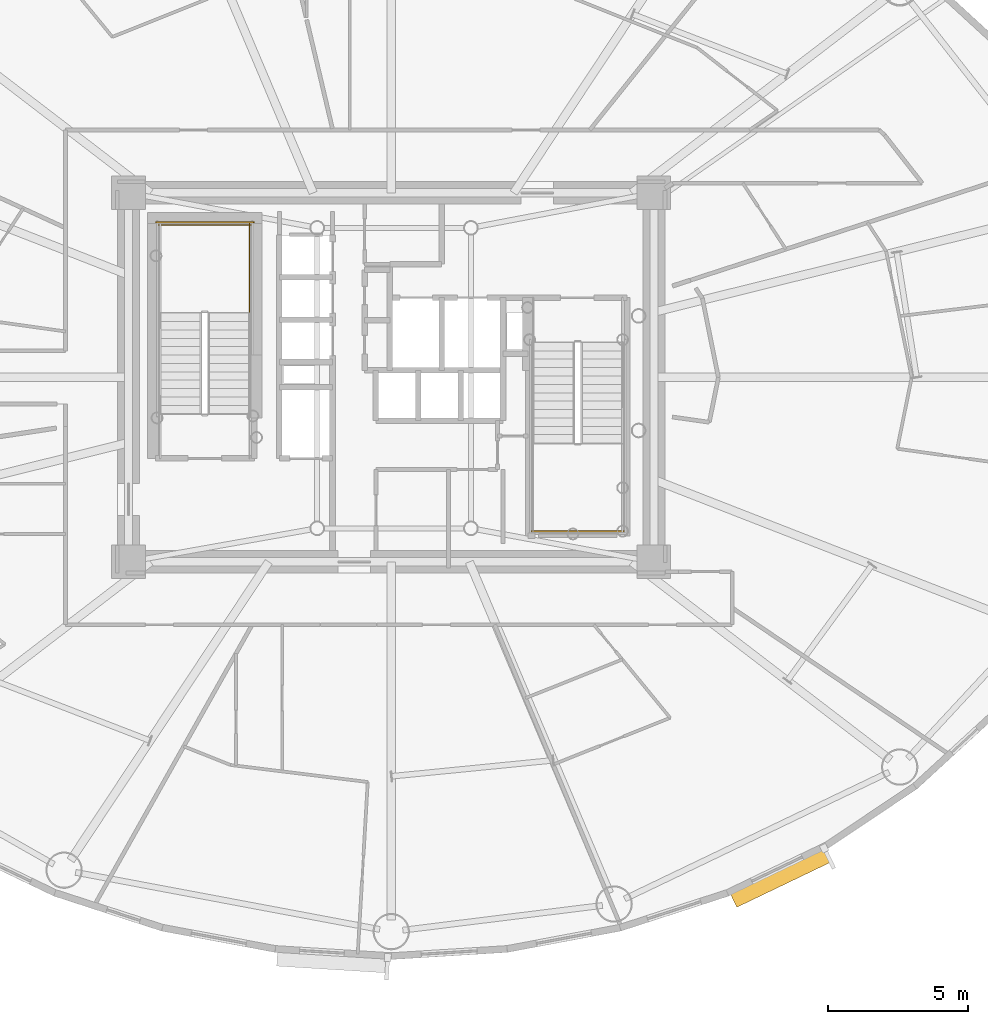
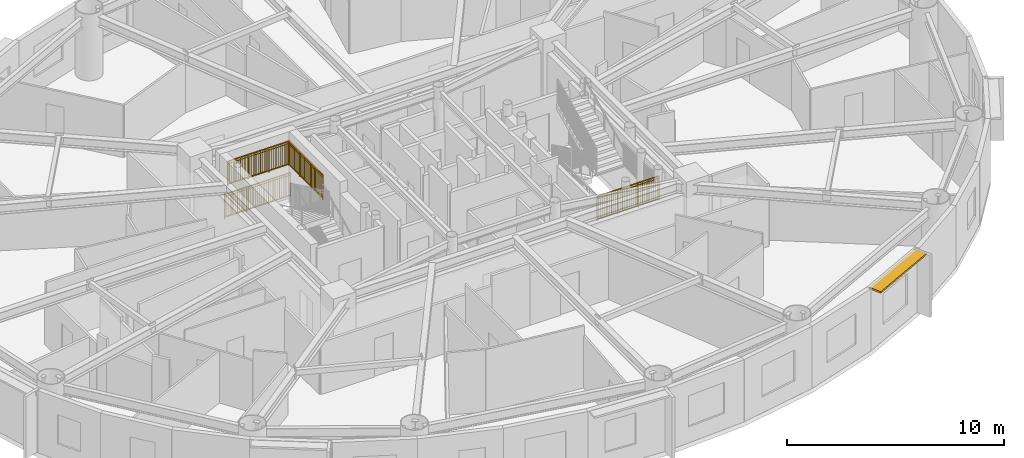
# One storey, part 18 of 21: 4 railings, 1 shading device.
"""IFC4 building model written with IfcOpenShell, lengths in metres."""

from ifc_helpers import new_model, si_unit, direction, frame, origin, origin_2d, place, context, subcontext, project, spatial, rectangle, extrude, source, transform, mapped, material, layer, layer_set, type_object, element, save


model = new_model("IFC4")

# Units and contexts
model_context = context("Model", 3, precision=1e-05, world=origin(), true_north=direction((0.0, 1.0)))
body_context = subcontext(model_context, "Body", "Model", "MODEL_VIEW")
ifc_project = project(units=[si_unit("LENGTHUNIT", "METRE"), si_unit("AREAUNIT", "SQUARE_METRE"), si_unit("VOLUMEUNIT", "CUBIC_METRE"), si_unit("PLANEANGLEUNIT", "RADIAN"), si_unit("MASSUNIT", "GRAM", prefix="KILO")], contexts=[model_context])

# Site, building, storey
site_placement = place(None, origin())
site = spatial("IfcSite", under=ifc_project, at=site_placement, CompositionType="ELEMENT")
building_placement = place(site_placement, origin())
building = spatial("IfcBuilding", under=site, at=building_placement, Name="Linh Dai School and Residence Tower", CompositionType="ELEMENT")
storey_placement = place(building_placement, frame((0.0, 0.0, 156.14990234375)))
storey = spatial("IfcBuildingStorey", under=building, at=storey_placement, Name="L37", CompositionType="ELEMENT", Elevation=156.14990234375)

# Shading device
ifc_material_1 = material(Name="Terracotta Ceramic Sunshade", Category="masonry")
ifc_layer = layer(ifc_material_1, 0.10009765625)
ifc_layer_set = layer_set([ifc_layer], Name="Terracotta Ceramic Sunshade")
shading_device_type = type_object("IfcShadingDeviceType", Name="SHD-TC-650", PredefinedType="USERDEFINED", material=ifc_layer_set)
shared_shape_1 = source(origin(), body_context, "Body", "SweptSolid", [
    extrude(rectangle(XDim=3.773193359375, YDim=0.64990234375, at=origin_2d()), origin(), (0.0, 0.0, 1.0), 0.10009765625),
])
shading_device_placement = place(storey_placement, frame((49.9248046875, 9.149658203125, 3.380126953125), z_axis=(0.0, 0.0, 1.0), x_axis=(-0.901569306779, -0.432634701653, 0.0)))
element("IfcShadingDevice", 1, at=shading_device_placement, inside=storey, type_object=shading_device_type, Name="L37 Terracotta Horizontal Sunshade Band 34", ObjectType="SUNSHADE", PredefinedType="USERDEFINED", context=body_context, shape_type="MappedRepresentation", body=[
    mapped(shared_shape_1, transform((0.0, 0.0, 0.0), x_axis=(1.0, 0.0, 0.0), y_axis=(0.0, 1.0, 0.0), z_axis=(0.0, 0.0, 1.0), scale=1.0)),
])

# Railings
ifc_material_2 = material(Name="Structural Steel S355JR", Category="steel")
railing_type = type_object("IfcRailingType", Name="RL-ST-GUARD-1400", PredefinedType="GUARDRAIL", material=ifc_material_2)
shared_shape_2 = source(origin(), body_context, "Body", "SweptSolid", [
    extrude(rectangle(XDim=0.048095703125, YDim=0.048095703125, at=origin_2d()), frame((0.0, 0.0, 1.3759765625), z_axis=(-1.0, 0.0, 0.0), x_axis=(0.0, -1.0, 0.0)), (0.0, 0.0, 1.0), 3.300048828125),
    extrude(rectangle(XDim=0.048095703125, YDim=0.048095703125, at=origin_2d()), frame((0.0, 0.0, 0.10009765625), z_axis=(-1.0, 0.0, 0.0), x_axis=(0.0, -1.0, 0.0)), (0.0, 0.0, 1.0), 3.300048828125),
    extrude(rectangle(XDim=0.030029296875, YDim=0.030029296875, at=origin_2d()), frame((0.0, 0.0, 1.239990234375), z_axis=(-1.0, 0.0, 0.0), x_axis=(0.0, -1.0, 0.0)), (0.0, 0.0, 1.0), 3.300048828125),
    extrude(rectangle(XDim=0.02001953125, YDim=0.02001953125, at=origin_2d()), frame((-0.09716796875, 0.0, 0.10009765625)), (0.0, 0.0, 1.0), 1.251708984375),
    extrude(rectangle(XDim=0.02001953125, YDim=0.02001953125, at=origin_2d()), frame((-0.194091796875, 0.0, 0.10009765625)), (0.0, 0.0, 1.0), 1.251708984375),
    extrude(rectangle(XDim=0.02001953125, YDim=0.02001953125, at=origin_2d()), frame((-0.291259765625, 0.0, 0.10009765625)), (0.0, 0.0, 1.0), 1.251708984375),
    extrude(rectangle(XDim=0.02001953125, YDim=0.02001953125, at=origin_2d()), frame((-0.38818359375, 0.0, 0.10009765625)), (0.0, 0.0, 1.0), 1.251708984375),
    extrude(rectangle(XDim=0.02001953125, YDim=0.02001953125, at=origin_2d()), frame((-0.4853515625, 0.0, 0.10009765625)), (0.0, 0.0, 1.0), 1.251708984375),
    extrude(rectangle(XDim=0.02001953125, YDim=0.02001953125, at=origin_2d()), frame((-0.582275390625, 0.0, 0.10009765625)), (0.0, 0.0, 1.0), 1.251708984375),
    extrude(rectangle(XDim=0.02001953125, YDim=0.02001953125, at=origin_2d()), frame((-0.679443359375, 0.0, 0.10009765625)), (0.0, 0.0, 1.0), 1.251708984375),
    extrude(rectangle(XDim=0.02001953125, YDim=0.02001953125, at=origin_2d()), frame((-0.7763671875, 0.0, 0.10009765625)), (0.0, 0.0, 1.0), 1.251708984375),
    extrude(rectangle(XDim=0.02001953125, YDim=0.02001953125, at=origin_2d()), frame((-0.87353515625, 0.0, 0.10009765625)), (0.0, 0.0, 1.0), 1.251708984375),
    extrude(rectangle(XDim=0.02001953125, YDim=0.02001953125, at=origin_2d()), frame((-0.970703125, 0.0, 0.10009765625)), (0.0, 0.0, 1.0), 1.251708984375),
    extrude(rectangle(XDim=0.02001953125, YDim=0.02001953125, at=origin_2d()), frame((-1.164794921875, 0.0, 0.10009765625)), (0.0, 0.0, 1.0), 1.251708984375),
    extrude(rectangle(XDim=0.02001953125, YDim=0.02001953125, at=origin_2d()), frame((-1.26171875, 0.0, 0.10009765625)), (0.0, 0.0, 1.0), 1.251708984375),
    extrude(rectangle(XDim=0.02001953125, YDim=0.02001953125, at=origin_2d()), frame((-1.35888671875, 0.0, 0.10009765625)), (0.0, 0.0, 1.0), 1.251708984375),
    extrude(rectangle(XDim=0.02001953125, YDim=0.02001953125, at=origin_2d()), frame((-1.455810546875, 0.0, 0.10009765625)), (0.0, 0.0, 1.0), 1.251708984375),
    extrude(rectangle(XDim=0.02001953125, YDim=0.02001953125, at=origin_2d()), frame((-1.552978515625, 0.0, 0.10009765625)), (0.0, 0.0, 1.0), 1.251708984375),
    extrude(rectangle(XDim=0.02001953125, YDim=0.02001953125, at=origin_2d()), frame((-1.64990234375, 0.0, 0.10009765625)), (0.0, 0.0, 1.0), 1.251708984375),
    extrude(rectangle(XDim=0.02001953125, YDim=0.02001953125, at=origin_2d()), frame((-1.7470703125, 0.0, 0.10009765625)), (0.0, 0.0, 1.0), 1.251708984375),
    extrude(rectangle(XDim=0.02001953125, YDim=0.02001953125, at=origin_2d()), frame((-1.84423828125, 0.0, 0.10009765625)), (0.0, 0.0, 1.0), 1.251708984375),
    extrude(rectangle(XDim=0.02001953125, YDim=0.02001953125, at=origin_2d()), frame((-1.941162109375, 0.0, 0.10009765625)), (0.0, 0.0, 1.0), 1.251708984375),
    extrude(rectangle(XDim=0.02001953125, YDim=0.02001953125, at=origin_2d()), frame((-2.038330078125, 0.0, 0.10009765625)), (0.0, 0.0, 1.0), 1.251708984375),
    extrude(rectangle(XDim=0.02001953125, YDim=0.02001953125, at=origin_2d()), frame((-2.13525390625, 0.0, 0.10009765625)), (0.0, 0.0, 1.0), 1.251708984375),
    extrude(rectangle(XDim=0.02001953125, YDim=0.02001953125, at=origin_2d()), frame((-2.329345703125, 0.0, 0.10009765625)), (0.0, 0.0, 1.0), 1.251708984375),
    extrude(rectangle(XDim=0.02001953125, YDim=0.02001953125, at=origin_2d()), frame((-2.426513671875, 0.0, 0.10009765625)), (0.0, 0.0, 1.0), 1.251708984375),
    extrude(rectangle(XDim=0.02001953125, YDim=0.02001953125, at=origin_2d()), frame((-2.523681640625, 0.0, 0.10009765625)), (0.0, 0.0, 1.0), 1.251708984375),
    extrude(rectangle(XDim=0.02001953125, YDim=0.02001953125, at=origin_2d()), frame((-2.62060546875, 0.0, 0.10009765625)), (0.0, 0.0, 1.0), 1.251708984375),
    extrude(rectangle(XDim=0.02001953125, YDim=0.02001953125, at=origin_2d()), frame((-2.7177734375, 0.0, 0.10009765625)), (0.0, 0.0, 1.0), 1.251708984375),
    extrude(rectangle(XDim=0.02001953125, YDim=0.02001953125, at=origin_2d()), frame((-2.814697265625, 0.0, 0.10009765625)), (0.0, 0.0, 1.0), 1.251708984375),
    extrude(rectangle(XDim=0.02001953125, YDim=0.02001953125, at=origin_2d()), frame((-2.911865234375, 0.0, 0.10009765625)), (0.0, 0.0, 1.0), 1.251708984375),
    extrude(rectangle(XDim=0.02001953125, YDim=0.02001953125, at=origin_2d()), frame((-3.0087890625, 0.0, 0.10009765625)), (0.0, 0.0, 1.0), 1.251708984375),
    extrude(rectangle(XDim=0.02001953125, YDim=0.02001953125, at=origin_2d()), frame((-3.10595703125, 0.0, 0.10009765625)), (0.0, 0.0, 1.0), 1.251708984375),
    extrude(rectangle(XDim=0.02001953125, YDim=0.02001953125, at=origin_2d()), frame((-3.202880859375, 0.0, 0.10009765625)), (0.0, 0.0, 1.0), 1.251708984375),
    extrude(rectangle(XDim=0.0419921875, YDim=0.0419921875, at=origin_2d()), origin(), (0.0, 0.0, 1.0), 1.3759765625),
    extrude(rectangle(XDim=0.0419921875, YDim=0.0419921875, at=origin_2d()), frame((-1.10009765625, 0.0, 0.0)), (0.0, 0.0, 1.0), 1.3759765625),
    extrude(rectangle(XDim=0.0419921875, YDim=0.0419921875, at=origin_2d()), frame((-2.199951171875, 0.0, 0.0)), (0.0, 0.0, 1.0), 1.3759765625),
    extrude(rectangle(XDim=0.0419921875, YDim=0.0419921875, at=origin_2d()), frame((-3.300048828125, 0.0, 0.0)), (0.0, 0.0, 1.0), 1.3759765625),
])
railing_1_placement = place(storey_placement, frame((30.97998046875, 32.449951171875, 1.875)))
element("IfcRailing", 2, at=railing_1_placement, inside=storey, type_object=railing_type, Name="L37 ST1 stair guard 5", PredefinedType="GUARDRAIL", context=body_context, shape_type="MappedRepresentation", body=[
    mapped(shared_shape_2, transform((0.0, 0.0, 0.0), x_axis=(1.0, 0.0, 0.0), y_axis=(0.0, 1.0, 0.0), z_axis=(0.0, 0.0, 1.0), scale=1.0)),
])
shared_shape_3 = source(origin(), body_context, "Body", "SweptSolid", [
    extrude(rectangle(XDim=0.048095703125, YDim=0.048095703125, at=origin_2d()), frame((0.0, 0.0, 1.3759765625), z_axis=(-1.0, 0.0, 0.0), x_axis=(0.0, -1.0, 0.0)), (0.0, 0.0, 1.0), 3.5),
    extrude(rectangle(XDim=0.048095703125, YDim=0.048095703125, at=origin_2d()), frame((0.0, 0.0, 0.10009765625), z_axis=(-1.0, 0.0, 0.0), x_axis=(0.0, -1.0, 0.0)), (0.0, 0.0, 1.0), 3.5),
    extrude(rectangle(XDim=0.030029296875, YDim=0.030029296875, at=origin_2d()), frame((0.0, 0.0, 1.239990234375), z_axis=(-1.0, 0.0, 0.0), x_axis=(0.0, -1.0, 0.0)), (0.0, 0.0, 1.0), 3.5),
    extrude(rectangle(XDim=0.02001953125, YDim=0.02001953125, at=origin_2d()), frame((-0.09716796875, 0.0, 0.10009765625)), (0.0, 0.0, 1.0), 1.251708984375),
    extrude(rectangle(XDim=0.02001953125, YDim=0.02001953125, at=origin_2d()), frame((-0.1943359375, 0.0, 0.10009765625)), (0.0, 0.0, 1.0), 1.251708984375),
    extrude(rectangle(XDim=0.02001953125, YDim=0.02001953125, at=origin_2d()), frame((-0.291748046875, 0.0, 0.10009765625)), (0.0, 0.0, 1.0), 1.251708984375),
    extrude(rectangle(XDim=0.02001953125, YDim=0.02001953125, at=origin_2d()), frame((-0.388916015625, 0.0, 0.10009765625)), (0.0, 0.0, 1.0), 1.251708984375),
    extrude(rectangle(XDim=0.02001953125, YDim=0.02001953125, at=origin_2d()), frame((-0.486083984375, 0.0, 0.10009765625)), (0.0, 0.0, 1.0), 1.251708984375),
    extrude(rectangle(XDim=0.02001953125, YDim=0.02001953125, at=origin_2d()), frame((-0.583251953125, 0.0, 0.10009765625)), (0.0, 0.0, 1.0), 1.251708984375),
    extrude(rectangle(XDim=0.02001953125, YDim=0.02001953125, at=origin_2d()), frame((-0.6806640625, 0.0, 0.10009765625)), (0.0, 0.0, 1.0), 1.251708984375),
    extrude(rectangle(XDim=0.02001953125, YDim=0.02001953125, at=origin_2d()), frame((-0.77783203125, 0.0, 0.10009765625)), (0.0, 0.0, 1.0), 1.251708984375),
    extrude(rectangle(XDim=0.02001953125, YDim=0.02001953125, at=origin_2d()), frame((-0.875, 0.0, 0.10009765625)), (0.0, 0.0, 1.0), 1.251708984375),
    extrude(rectangle(XDim=0.02001953125, YDim=0.02001953125, at=origin_2d()), frame((-0.97216796875, 0.0, 0.10009765625)), (0.0, 0.0, 1.0), 1.251708984375),
    extrude(rectangle(XDim=0.02001953125, YDim=0.02001953125, at=origin_2d()), frame((-1.0693359375, 0.0, 0.10009765625)), (0.0, 0.0, 1.0), 1.251708984375),
    extrude(rectangle(XDim=0.02001953125, YDim=0.02001953125, at=origin_2d()), frame((-1.263916015625, 0.0, 0.10009765625)), (0.0, 0.0, 1.0), 1.251708984375),
    extrude(rectangle(XDim=0.02001953125, YDim=0.02001953125, at=origin_2d()), frame((-1.361083984375, 0.0, 0.10009765625)), (0.0, 0.0, 1.0), 1.251708984375),
    extrude(rectangle(XDim=0.02001953125, YDim=0.02001953125, at=origin_2d()), frame((-1.458251953125, 0.0, 0.10009765625)), (0.0, 0.0, 1.0), 1.251708984375),
    extrude(rectangle(XDim=0.02001953125, YDim=0.02001953125, at=origin_2d()), frame((-1.5556640625, 0.0, 0.10009765625)), (0.0, 0.0, 1.0), 1.251708984375),
    extrude(rectangle(XDim=0.02001953125, YDim=0.02001953125, at=origin_2d()), frame((-1.65283203125, 0.0, 0.10009765625)), (0.0, 0.0, 1.0), 1.251708984375),
    extrude(rectangle(XDim=0.02001953125, YDim=0.02001953125, at=origin_2d()), frame((-1.75, 0.0, 0.10009765625)), (0.0, 0.0, 1.0), 1.251708984375),
    extrude(rectangle(XDim=0.02001953125, YDim=0.02001953125, at=origin_2d()), frame((-1.84716796875, 0.0, 0.10009765625)), (0.0, 0.0, 1.0), 1.251708984375),
    extrude(rectangle(XDim=0.02001953125, YDim=0.02001953125, at=origin_2d()), frame((-1.9443359375, 0.0, 0.10009765625)), (0.0, 0.0, 1.0), 1.251708984375),
    extrude(rectangle(XDim=0.02001953125, YDim=0.02001953125, at=origin_2d()), frame((-2.041748046875, 0.0, 0.10009765625)), (0.0, 0.0, 1.0), 1.251708984375),
    extrude(rectangle(XDim=0.02001953125, YDim=0.02001953125, at=origin_2d()), frame((-2.138916015625, 0.0, 0.10009765625)), (0.0, 0.0, 1.0), 1.251708984375),
    extrude(rectangle(XDim=0.02001953125, YDim=0.02001953125, at=origin_2d()), frame((-2.236083984375, 0.0, 0.10009765625)), (0.0, 0.0, 1.0), 1.251708984375),
    extrude(rectangle(XDim=0.02001953125, YDim=0.02001953125, at=origin_2d()), frame((-2.4306640625, 0.0, 0.10009765625)), (0.0, 0.0, 1.0), 1.251708984375),
    extrude(rectangle(XDim=0.02001953125, YDim=0.02001953125, at=origin_2d()), frame((-2.52783203125, 0.0, 0.10009765625)), (0.0, 0.0, 1.0), 1.251708984375),
    extrude(rectangle(XDim=0.02001953125, YDim=0.02001953125, at=origin_2d()), frame((-2.625, 0.0, 0.10009765625)), (0.0, 0.0, 1.0), 1.251708984375),
    extrude(rectangle(XDim=0.02001953125, YDim=0.02001953125, at=origin_2d()), frame((-2.72216796875, 0.0, 0.10009765625)), (0.0, 0.0, 1.0), 1.251708984375),
    extrude(rectangle(XDim=0.02001953125, YDim=0.02001953125, at=origin_2d()), frame((-2.8193359375, 0.0, 0.10009765625)), (0.0, 0.0, 1.0), 1.251708984375),
    extrude(rectangle(XDim=0.02001953125, YDim=0.02001953125, at=origin_2d()), frame((-2.916748046875, 0.0, 0.10009765625)), (0.0, 0.0, 1.0), 1.251708984375),
    extrude(rectangle(XDim=0.02001953125, YDim=0.02001953125, at=origin_2d()), frame((-3.013916015625, 0.0, 0.10009765625)), (0.0, 0.0, 1.0), 1.251708984375),
    extrude(rectangle(XDim=0.02001953125, YDim=0.02001953125, at=origin_2d()), frame((-3.111083984375, 0.0, 0.10009765625)), (0.0, 0.0, 1.0), 1.251708984375),
    extrude(rectangle(XDim=0.02001953125, YDim=0.02001953125, at=origin_2d()), frame((-3.208251953125, 0.0, 0.10009765625)), (0.0, 0.0, 1.0), 1.251708984375),
    extrude(rectangle(XDim=0.02001953125, YDim=0.02001953125, at=origin_2d()), frame((-3.3056640625, 0.0, 0.10009765625)), (0.0, 0.0, 1.0), 1.251708984375),
    extrude(rectangle(XDim=0.02001953125, YDim=0.02001953125, at=origin_2d()), frame((-3.40283203125, 0.0, 0.10009765625)), (0.0, 0.0, 1.0), 1.251708984375),
    extrude(rectangle(XDim=0.0419921875, YDim=0.0419921875, at=origin_2d()), origin(), (0.0, 0.0, 1.0), 1.3759765625),
    extrude(rectangle(XDim=0.0419921875, YDim=0.0419921875, at=origin_2d()), frame((-1.166748046875, 0.0, 0.0)), (0.0, 0.0, 1.0), 1.3759765625),
    extrude(rectangle(XDim=0.0419921875, YDim=0.0419921875, at=origin_2d()), frame((-2.333251953125, 0.0, 0.0)), (0.0, 0.0, 1.0), 1.3759765625),
    extrude(rectangle(XDim=0.0419921875, YDim=0.0419921875, at=origin_2d()), frame((-3.5, 0.0, 0.0)), (0.0, 0.0, 1.0), 1.3759765625),
])
railing_2_placement = place(storey_placement, frame((31.080078125, 32.550048828125, 0.0)))
element("IfcRailing", 3, at=railing_2_placement, inside=storey, type_object=railing_type, Name="L37 ST1 stair guard 12", PredefinedType="GUARDRAIL", context=body_context, shape_type="MappedRepresentation", body=[
    mapped(shared_shape_3, transform((0.0, 0.0, 0.0), x_axis=(1.0, 0.0, 0.0), y_axis=(0.0, 1.0, 0.0), z_axis=(0.0, 0.0, 1.0), scale=1.0)),
])
shared_shape_4 = source(origin(), body_context, "Body", "SweptSolid", [
    extrude(rectangle(XDim=0.048095703125, YDim=0.048095703125, at=origin_2d()), frame((0.0, 0.0, 1.3759765625), z_axis=(0.0, 1.0, 0.0), x_axis=(-1.0, 0.0, 0.0)), (0.0, 0.0, 1.0), 3.199951171875),
    extrude(rectangle(XDim=0.048095703125, YDim=0.048095703125, at=origin_2d()), frame((0.0, 0.0, 0.10009765625), z_axis=(0.0, 1.0, 0.0), x_axis=(-1.0, 0.0, 0.0)), (0.0, 0.0, 1.0), 3.199951171875),
    extrude(rectangle(XDim=0.030029296875, YDim=0.030029296875, at=origin_2d()), frame((0.0, 0.0, 1.239990234375), z_axis=(0.0, 1.0, 0.0), x_axis=(-1.0, 0.0, 0.0)), (0.0, 0.0, 1.0), 3.199951171875),
    extrude(rectangle(XDim=0.02001953125, YDim=0.02001953125, at=origin_2d()), frame((0.0, 0.096923828125, 0.10009765625)), (0.0, 0.0, 1.0), 1.251708984375),
    extrude(rectangle(XDim=0.02001953125, YDim=0.02001953125, at=origin_2d()), frame((0.0, 0.19384765625, 0.10009765625)), (0.0, 0.0, 1.0), 1.251708984375),
    extrude(rectangle(XDim=0.02001953125, YDim=0.02001953125, at=origin_2d()), frame((0.0, 0.291015625, 0.10009765625)), (0.0, 0.0, 1.0), 1.251708984375),
    extrude(rectangle(XDim=0.02001953125, YDim=0.02001953125, at=origin_2d()), frame((0.0, 0.387939453125, 0.10009765625)), (0.0, 0.0, 1.0), 1.251708984375),
    extrude(rectangle(XDim=0.02001953125, YDim=0.02001953125, at=origin_2d()), frame((0.0, 0.48486328125, 0.10009765625)), (0.0, 0.0, 1.0), 1.251708984375),
    extrude(rectangle(XDim=0.02001953125, YDim=0.02001953125, at=origin_2d()), frame((0.0, 0.581787109375, 0.10009765625)), (0.0, 0.0, 1.0), 1.251708984375),
    extrude(rectangle(XDim=0.02001953125, YDim=0.02001953125, at=origin_2d()), frame((0.0, 0.6787109375, 0.10009765625)), (0.0, 0.0, 1.0), 1.251708984375),
    extrude(rectangle(XDim=0.02001953125, YDim=0.02001953125, at=origin_2d()), frame((0.0, 0.775634765625, 0.10009765625)), (0.0, 0.0, 1.0), 1.251708984375),
    extrude(rectangle(XDim=0.02001953125, YDim=0.02001953125, at=origin_2d()), frame((0.0, 0.872802734375, 0.10009765625)), (0.0, 0.0, 1.0), 1.251708984375),
    extrude(rectangle(XDim=0.02001953125, YDim=0.02001953125, at=origin_2d()), frame((0.0, 0.9697265625, 0.10009765625)), (0.0, 0.0, 1.0), 1.251708984375),
    extrude(rectangle(XDim=0.02001953125, YDim=0.02001953125, at=origin_2d()), frame((0.0, 1.16357421875, 0.10009765625)), (0.0, 0.0, 1.0), 1.251708984375),
    extrude(rectangle(XDim=0.02001953125, YDim=0.02001953125, at=origin_2d()), frame((0.0, 1.260498046875, 0.10009765625)), (0.0, 0.0, 1.0), 1.251708984375),
    extrude(rectangle(XDim=0.02001953125, YDim=0.02001953125, at=origin_2d()), frame((0.0, 1.357666015625, 0.10009765625)), (0.0, 0.0, 1.0), 1.251708984375),
    extrude(rectangle(XDim=0.02001953125, YDim=0.02001953125, at=origin_2d()), frame((0.0, 1.45458984375, 0.10009765625)), (0.0, 0.0, 1.0), 1.251708984375),
    extrude(rectangle(XDim=0.02001953125, YDim=0.02001953125, at=origin_2d()), frame((0.0, 1.551513671875, 0.10009765625)), (0.0, 0.0, 1.0), 1.251708984375),
    extrude(rectangle(XDim=0.02001953125, YDim=0.02001953125, at=origin_2d()), frame((0.0, 1.6484375, 0.10009765625)), (0.0, 0.0, 1.0), 1.251708984375),
    extrude(rectangle(XDim=0.02001953125, YDim=0.02001953125, at=origin_2d()), frame((0.0, 1.745361328125, 0.10009765625)), (0.0, 0.0, 1.0), 1.251708984375),
    extrude(rectangle(XDim=0.02001953125, YDim=0.02001953125, at=origin_2d()), frame((0.0, 1.84228515625, 0.10009765625)), (0.0, 0.0, 1.0), 1.251708984375),
    extrude(rectangle(XDim=0.02001953125, YDim=0.02001953125, at=origin_2d()), frame((0.0, 1.939453125, 0.10009765625)), (0.0, 0.0, 1.0), 1.251708984375),
    extrude(rectangle(XDim=0.02001953125, YDim=0.02001953125, at=origin_2d()), frame((0.0, 2.036376953125, 0.10009765625)), (0.0, 0.0, 1.0), 1.251708984375),
    extrude(rectangle(XDim=0.02001953125, YDim=0.02001953125, at=origin_2d()), frame((0.0, 2.230224609375, 0.10009765625)), (0.0, 0.0, 1.0), 1.251708984375),
    extrude(rectangle(XDim=0.02001953125, YDim=0.02001953125, at=origin_2d()), frame((0.0, 2.3271484375, 0.10009765625)), (0.0, 0.0, 1.0), 1.251708984375),
    extrude(rectangle(XDim=0.02001953125, YDim=0.02001953125, at=origin_2d()), frame((0.0, 2.42431640625, 0.10009765625)), (0.0, 0.0, 1.0), 1.251708984375),
    extrude(rectangle(XDim=0.02001953125, YDim=0.02001953125, at=origin_2d()), frame((0.0, 2.521240234375, 0.10009765625)), (0.0, 0.0, 1.0), 1.251708984375),
    extrude(rectangle(XDim=0.02001953125, YDim=0.02001953125, at=origin_2d()), frame((0.0, 2.6181640625, 0.10009765625)), (0.0, 0.0, 1.0), 1.251708984375),
    extrude(rectangle(XDim=0.02001953125, YDim=0.02001953125, at=origin_2d()), frame((0.0, 2.715087890625, 0.10009765625)), (0.0, 0.0, 1.0), 1.251708984375),
    extrude(rectangle(XDim=0.02001953125, YDim=0.02001953125, at=origin_2d()), frame((0.0, 2.81201171875, 0.10009765625)), (0.0, 0.0, 1.0), 1.251708984375),
    extrude(rectangle(XDim=0.02001953125, YDim=0.02001953125, at=origin_2d()), frame((0.0, 2.908935546875, 0.10009765625)), (0.0, 0.0, 1.0), 1.251708984375),
    extrude(rectangle(XDim=0.02001953125, YDim=0.02001953125, at=origin_2d()), frame((0.0, 3.006103515625, 0.10009765625)), (0.0, 0.0, 1.0), 1.251708984375),
    extrude(rectangle(XDim=0.02001953125, YDim=0.02001953125, at=origin_2d()), frame((0.0, 3.10302734375, 0.10009765625)), (0.0, 0.0, 1.0), 1.251708984375),
    extrude(rectangle(XDim=0.0419921875, YDim=0.0419921875, at=origin_2d()), origin(), (0.0, 0.0, 1.0), 1.3759765625),
    extrude(rectangle(XDim=0.0419921875, YDim=0.0419921875, at=origin_2d()), frame((0.0, 1.066650390625, 0.0)), (0.0, 0.0, 1.0), 1.3759765625),
    extrude(rectangle(XDim=0.0419921875, YDim=0.0419921875, at=origin_2d()), frame((0.0, 2.13330078125, 0.0)), (0.0, 0.0, 1.0), 1.3759765625),
    extrude(rectangle(XDim=0.0419921875, YDim=0.0419921875, at=origin_2d()), frame((0.0, 3.199951171875, 0.0)), (0.0, 0.0, 1.0), 1.3759765625),
])
railing_3_placement = place(storey_placement, frame((30.929931640625, 29.300048828125, 1.875)))
element("IfcRailing", 4, at=railing_3_placement, inside=storey, type_object=railing_type, Name="L37 ST1 stair guard 3", PredefinedType="GUARDRAIL", context=body_context, shape_type="MappedRepresentation", body=[
    mapped(shared_shape_4, transform((0.0, 0.0, 0.0), x_axis=(1.0, 0.0, 0.0), y_axis=(0.0, 1.0, 0.0), z_axis=(0.0, 0.0, 1.0), scale=1.0)),
])
shared_shape_5 = source(origin(), body_context, "Body", "SweptSolid", [
    extrude(rectangle(XDim=0.048095703125, YDim=0.048095703125, at=origin_2d()), frame((0.0, 0.0, 1.3759765625), z_axis=(1.0, 0.0, 0.0), x_axis=(0.0, 1.0, 0.0)), (0.0, 0.0, 1.0), 3.300048828125),
    extrude(rectangle(XDim=0.048095703125, YDim=0.048095703125, at=origin_2d()), frame((0.0, 0.0, 0.10009765625), z_axis=(1.0, 0.0, 0.0), x_axis=(0.0, 1.0, 0.0)), (0.0, 0.0, 1.0), 3.300048828125),
    extrude(rectangle(XDim=0.030029296875, YDim=0.030029296875, at=origin_2d()), frame((0.0, 0.0, 1.239990234375), z_axis=(1.0, 0.0, 0.0), x_axis=(0.0, 1.0, 0.0)), (0.0, 0.0, 1.0), 3.300048828125),
    extrude(rectangle(XDim=0.02001953125, YDim=0.02001953125, at=origin_2d()), frame((0.09716796875, 0.0, 0.10009765625)), (0.0, 0.0, 1.0), 1.251708984375),
    extrude(rectangle(XDim=0.02001953125, YDim=0.02001953125, at=origin_2d()), frame((0.194091796875, 0.0, 0.10009765625)), (0.0, 0.0, 1.0), 1.251708984375),
    extrude(rectangle(XDim=0.02001953125, YDim=0.02001953125, at=origin_2d()), frame((0.291259765625, 0.0, 0.10009765625)), (0.0, 0.0, 1.0), 1.251708984375),
    extrude(rectangle(XDim=0.02001953125, YDim=0.02001953125, at=origin_2d()), frame((0.38818359375, 0.0, 0.10009765625)), (0.0, 0.0, 1.0), 1.251708984375),
    extrude(rectangle(XDim=0.02001953125, YDim=0.02001953125, at=origin_2d()), frame((0.4853515625, 0.0, 0.10009765625)), (0.0, 0.0, 1.0), 1.251708984375),
    extrude(rectangle(XDim=0.02001953125, YDim=0.02001953125, at=origin_2d()), frame((0.582275390625, 0.0, 0.10009765625)), (0.0, 0.0, 1.0), 1.251708984375),
    extrude(rectangle(XDim=0.02001953125, YDim=0.02001953125, at=origin_2d()), frame((0.679443359375, 0.0, 0.10009765625)), (0.0, 0.0, 1.0), 1.251708984375),
    extrude(rectangle(XDim=0.02001953125, YDim=0.02001953125, at=origin_2d()), frame((0.7763671875, 0.0, 0.10009765625)), (0.0, 0.0, 1.0), 1.251708984375),
    extrude(rectangle(XDim=0.02001953125, YDim=0.02001953125, at=origin_2d()), frame((0.87353515625, 0.0, 0.10009765625)), (0.0, 0.0, 1.0), 1.251708984375),
    extrude(rectangle(XDim=0.02001953125, YDim=0.02001953125, at=origin_2d()), frame((0.970703125, 0.0, 0.10009765625)), (0.0, 0.0, 1.0), 1.251708984375),
    extrude(rectangle(XDim=0.02001953125, YDim=0.02001953125, at=origin_2d()), frame((1.164794921875, 0.0, 0.10009765625)), (0.0, 0.0, 1.0), 1.251708984375),
    extrude(rectangle(XDim=0.02001953125, YDim=0.02001953125, at=origin_2d()), frame((1.26171875, 0.0, 0.10009765625)), (0.0, 0.0, 1.0), 1.251708984375),
    extrude(rectangle(XDim=0.02001953125, YDim=0.02001953125, at=origin_2d()), frame((1.35888671875, 0.0, 0.10009765625)), (0.0, 0.0, 1.0), 1.251708984375),
    extrude(rectangle(XDim=0.02001953125, YDim=0.02001953125, at=origin_2d()), frame((1.455810546875, 0.0, 0.10009765625)), (0.0, 0.0, 1.0), 1.251708984375),
    extrude(rectangle(XDim=0.02001953125, YDim=0.02001953125, at=origin_2d()), frame((1.552978515625, 0.0, 0.10009765625)), (0.0, 0.0, 1.0), 1.251708984375),
    extrude(rectangle(XDim=0.02001953125, YDim=0.02001953125, at=origin_2d()), frame((1.64990234375, 0.0, 0.10009765625)), (0.0, 0.0, 1.0), 1.251708984375),
    extrude(rectangle(XDim=0.02001953125, YDim=0.02001953125, at=origin_2d()), frame((1.7470703125, 0.0, 0.10009765625)), (0.0, 0.0, 1.0), 1.251708984375),
    extrude(rectangle(XDim=0.02001953125, YDim=0.02001953125, at=origin_2d()), frame((1.84423828125, 0.0, 0.10009765625)), (0.0, 0.0, 1.0), 1.251708984375),
    extrude(rectangle(XDim=0.02001953125, YDim=0.02001953125, at=origin_2d()), frame((1.941162109375, 0.0, 0.10009765625)), (0.0, 0.0, 1.0), 1.251708984375),
    extrude(rectangle(XDim=0.02001953125, YDim=0.02001953125, at=origin_2d()), frame((2.038330078125, 0.0, 0.10009765625)), (0.0, 0.0, 1.0), 1.251708984375),
    extrude(rectangle(XDim=0.02001953125, YDim=0.02001953125, at=origin_2d()), frame((2.13525390625, 0.0, 0.10009765625)), (0.0, 0.0, 1.0), 1.251708984375),
    extrude(rectangle(XDim=0.02001953125, YDim=0.02001953125, at=origin_2d()), frame((2.329345703125, 0.0, 0.10009765625)), (0.0, 0.0, 1.0), 1.251708984375),
    extrude(rectangle(XDim=0.02001953125, YDim=0.02001953125, at=origin_2d()), frame((2.426513671875, 0.0, 0.10009765625)), (0.0, 0.0, 1.0), 1.251708984375),
    extrude(rectangle(XDim=0.02001953125, YDim=0.02001953125, at=origin_2d()), frame((2.523681640625, 0.0, 0.10009765625)), (0.0, 0.0, 1.0), 1.251708984375),
    extrude(rectangle(XDim=0.02001953125, YDim=0.02001953125, at=origin_2d()), frame((2.62060546875, 0.0, 0.10009765625)), (0.0, 0.0, 1.0), 1.251708984375),
    extrude(rectangle(XDim=0.02001953125, YDim=0.02001953125, at=origin_2d()), frame((2.7177734375, 0.0, 0.10009765625)), (0.0, 0.0, 1.0), 1.251708984375),
    extrude(rectangle(XDim=0.02001953125, YDim=0.02001953125, at=origin_2d()), frame((2.814697265625, 0.0, 0.10009765625)), (0.0, 0.0, 1.0), 1.251708984375),
    extrude(rectangle(XDim=0.02001953125, YDim=0.02001953125, at=origin_2d()), frame((2.911865234375, 0.0, 0.10009765625)), (0.0, 0.0, 1.0), 1.251708984375),
    extrude(rectangle(XDim=0.02001953125, YDim=0.02001953125, at=origin_2d()), frame((3.0087890625, 0.0, 0.10009765625)), (0.0, 0.0, 1.0), 1.251708984375),
    extrude(rectangle(XDim=0.02001953125, YDim=0.02001953125, at=origin_2d()), frame((3.10595703125, 0.0, 0.10009765625)), (0.0, 0.0, 1.0), 1.251708984375),
    extrude(rectangle(XDim=0.02001953125, YDim=0.02001953125, at=origin_2d()), frame((3.202880859375, 0.0, 0.10009765625)), (0.0, 0.0, 1.0), 1.251708984375),
    extrude(rectangle(XDim=0.0419921875, YDim=0.0419921875, at=origin_2d()), origin(), (0.0, 0.0, 1.0), 1.3759765625),
    extrude(rectangle(XDim=0.0419921875, YDim=0.0419921875, at=origin_2d()), frame((1.10009765625, 0.0, 0.0)), (0.0, 0.0, 1.0), 1.3759765625),
    extrude(rectangle(XDim=0.0419921875, YDim=0.0419921875, at=origin_2d()), frame((2.199951171875, 0.0, 0.0)), (0.0, 0.0, 1.0), 1.3759765625),
    extrude(rectangle(XDim=0.0419921875, YDim=0.0419921875, at=origin_2d()), frame((3.300048828125, 0.0, 0.0)), (0.0, 0.0, 1.0), 1.3759765625),
])
railing_4_placement = place(storey_placement, frame((41.02001953125, 21.5, 1.875)))
element("IfcRailing", 5, at=railing_4_placement, inside=storey, type_object=railing_type, Name="L37 ST2 stair guard 5", PredefinedType="GUARDRAIL", context=body_context, shape_type="MappedRepresentation", body=[
    mapped(shared_shape_5, transform((0.0, 0.0, 0.0), x_axis=(1.0, 0.0, 0.0), y_axis=(0.0, 1.0, 0.0), z_axis=(0.0, 0.0, 1.0), scale=1.0)),
])

save(model, "model.ifc")
